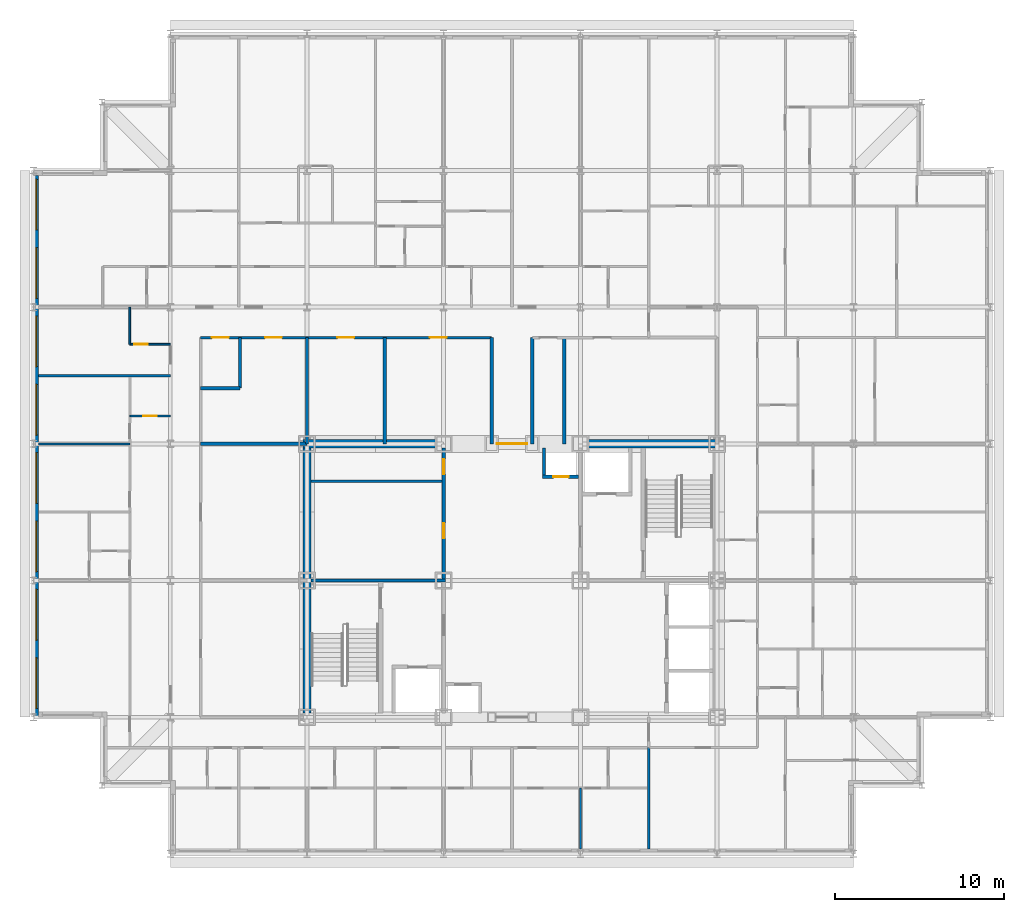
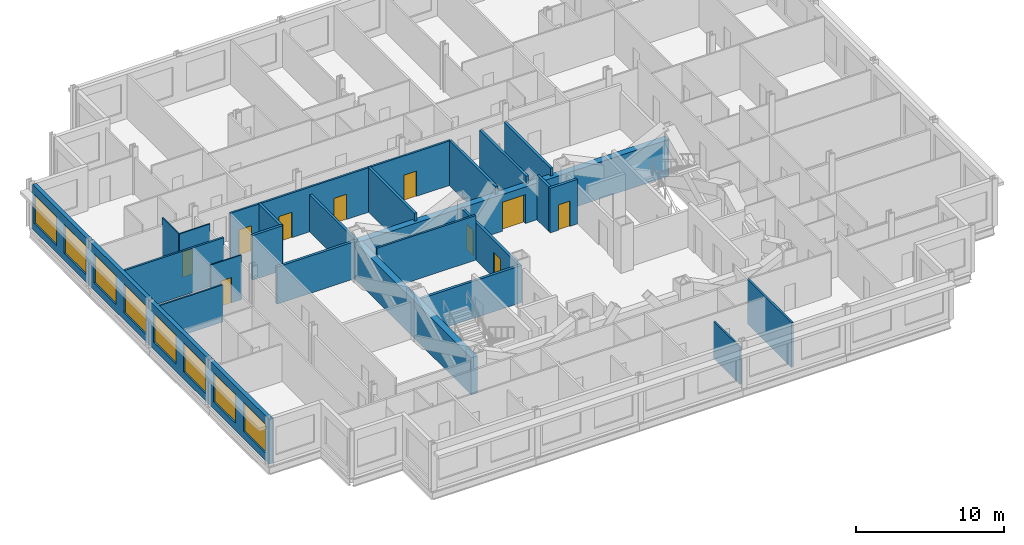
# One storey, part 9 of 16: 24 walls, 10 doors, 8 windows, 18 openings.
"""IFC4 building model written with IfcOpenShell, lengths in metres."""

from ifc_helpers import new_model, si_unit, direction, frame, frame_2d, origin, place, context, subcontext, project, spatial, rectangle, extrude, material, layer, layer_set, type_object, element, fill, save


model = new_model("IFC4")

# Units and contexts
model_context = context("Model", 3, precision=1e-05, world=origin(), true_north=direction((0.0, 1.0)))
body_context = subcontext(model_context, "Body", "Model", "MODEL_VIEW")
ifc_project = project(units=[si_unit("LENGTHUNIT", "METRE"), si_unit("AREAUNIT", "SQUARE_METRE"), si_unit("VOLUMEUNIT", "CUBIC_METRE"), si_unit("PLANEANGLEUNIT", "RADIAN"), si_unit("MASSUNIT", "GRAM", prefix="KILO")], contexts=[model_context])

# Site, building, storey
site_placement = place(None, origin())
site = spatial("IfcSite", under=ifc_project, at=site_placement, CompositionType="ELEMENT")
building_placement = place(site_placement, origin())
building = spatial("IfcBuilding", under=site, at=building_placement, Name="Kopane Lantern Tower", CompositionType="ELEMENT")
storey_placement = place(building_placement, frame((0.0, 0.0, 258.0)))
storey = spatial("IfcBuildingStorey", under=building, at=storey_placement, Name="L66", CompositionType="ELEMENT", Elevation=258.0)

# Walls
ifc_material_1 = material(Name="Gypsum board on steel studs", Category="steel")
ifc_layer_1 = layer(ifc_material_1, 0.1201171875)
ifc_layer_set_1 = layer_set([ifc_layer_1], Name="APARTMENT INTERNAL WALL 120")
wall_type_1 = type_object("IfcWallType", Name="APARTMENT INTERNAL WALL 120", PredefinedType="PARTITIONING", material=ifc_layer_set_1)
wall_1_placement = place(storey_placement, frame((32.39990234375, 20.10009765625, 0.0), z_axis=(0.0, 0.0, 1.0), x_axis=(0.0, -1.0, 0.0)))
element("IfcWall", 1, at=wall_1_placement, inside=storey, type_object=wall_type_1, Name="Apartment Internal Wall 120 L66", PredefinedType="PARTITIONING", context=body_context, shape_type="SweptSolid", body=[
    extrude(rectangle(XDim=3.60009765625, YDim=0.1201171875, at=frame_2d((1.800048828125, 0.0))), origin(), (0.0, 0.0, 1.0), 3.077880859375),
])
wall_2_placement = place(storey_placement, frame((5.699951171875, 40.5, 0.0), z_axis=(0.0, 0.0, 1.0), x_axis=(-1.0, 0.0, 0.0)))
element("IfcWall", 2, at=wall_2_placement, inside=storey, type_object=wall_type_1, Name="Apartment Internal Wall 120 L66", PredefinedType="PARTITIONING", context=body_context, shape_type="SweptSolid", body=[
    extrude(rectangle(XDim=5.39990234375, YDim=0.1201171875, at=frame_2d((2.699951171875, 0.0))), origin(), (0.0, 0.0, 1.0), 3.077880859375),
])

# Wall, opening, door
ifc_material_2 = material(Name="Moisture-resistant board on steel studs", Category="steel")
ifc_layer_2 = layer(ifc_material_2, 0.10009765625)
ifc_layer_set_2 = layer_set([ifc_layer_2], Name="BATHROOM WALL 100")
wall_type_2 = type_object("IfcWallType", Name="BATHROOM WALL 100", PredefinedType="PARTITIONING", material=ifc_layer_set_2)
wall_3_placement = place(storey_placement, frame((8.10009765625, 42.14990234375, 0.0), z_axis=(0.0, 0.0, 1.0), x_axis=(-1.0, 0.0, 0.0)))
wall_3 = element("IfcWall", 3, at=wall_3_placement, inside=storey, type_object=wall_type_2, Name="Bathroom Wall 100 L66", PredefinedType="PARTITIONING", context=body_context, shape_type="SweptSolid", body=[
    extrude(rectangle(XDim=2.400146484375, YDim=0.10009765625, at=frame_2d((1.2001953125, 0.0))), origin(), (0.0, 0.0, 1.0), 3.68994140625),
])
opening_1_placement = place(wall_3_placement, frame((0.800048828125, 0.0, 0.0)))
opening_1 = element("IfcOpeningElement", 4, at=opening_1_placement, cuts=wall_3, Name="Opening L66-031", PredefinedType="OPENING", context=body_context, shape_type="SweptSolid", body=[
    extrude(rectangle(XDim=0.800048828125, YDim=2.10009765625, at=frame_2d((0.39990234375, 1.050048828125))), frame((0.0, 0.06005859375, 0.0), z_axis=(0.0, -1.0, 0.0), x_axis=(1.0, 0.0, 0.0)), (0.0, 0.0, 1.0), 0.1201171875),
])
ifc_material_3 = material(Name="Timber door set", Category="wood")
door_type_1 = type_object("IfcDoorType", Name="DOOR D2 800x2100", OperationType="SINGLE_SWING_LEFT", PredefinedType="DOOR", material=ifc_material_3)
door_1_placement = place(opening_1_placement, origin())
door_1 = element("IfcDoor", 5, at=door_1_placement, inside=storey, type_object=door_type_1, Name="Door L66-031", OperationType="SINGLE_SWING_RIGHT", OverallHeight=2.10009765625, OverallWidth=0.800048828125, PredefinedType="DOOR", context=body_context, shape_type="SweptSolid", body=[
    extrude(rectangle(XDim=0.800048828125, YDim=2.10009765625, at=frame_2d((0.39990234375, 1.050048828125))), frame((0.0, 0.02490234375, 0.0), z_axis=(0.0, -1.0, 0.0), x_axis=(1.0, 0.0, 0.0)), (0.0, 0.0, 1.0), 0.050048828125),
])
fill(opening_1, door_1)

# Wall
wall_4_placement = place(storey_placement, frame((5.699951171875, 46.39990234375, 0.0), z_axis=(0.0, 0.0, 1.0), x_axis=(0.0, 1.0, 0.0)))
element("IfcWall", 6, at=wall_4_placement, inside=storey, type_object=wall_type_2, Name="Bathroom Wall 100 L66", PredefinedType="PARTITIONING", context=body_context, shape_type="SweptSolid", body=[
    extrude(rectangle(XDim=2.2001953125, YDim=0.10009765625, at=frame_2d((1.10009765625, 0.0))), origin(), (0.0, 0.0, 1.0), 3.68994140625),
])

# Wall, opening, door
wall_5_placement = place(storey_placement, frame((8.10009765625, 46.39990234375, 0.0), z_axis=(0.0, 0.0, 1.0), x_axis=(-1.0, 0.0, 0.0)))
wall_5 = element("IfcWall", 7, at=wall_5_placement, inside=storey, type_object=wall_type_2, Name="Bathroom Wall 100 L66", PredefinedType="PARTITIONING", context=body_context, shape_type="SweptSolid", body=[
    extrude(rectangle(XDim=2.400146484375, YDim=0.10009765625, at=frame_2d((1.2001953125, 0.0))), origin(), (0.0, 0.0, 1.0), 3.68994140625),
])
opening_2_placement = place(wall_5_placement, frame((1.35009765625, 0.0, 0.0)))
opening_2 = element("IfcOpeningElement", 8, at=opening_2_placement, cuts=wall_5, Name="Opening L66-038", PredefinedType="OPENING", context=body_context, shape_type="SweptSolid", body=[
    extrude(rectangle(XDim=0.800048828125, YDim=2.10009765625, at=frame_2d((0.39990234375, 1.050048828125))), frame((0.0, 0.06005859375, 0.0), z_axis=(0.0, -1.0, 0.0), x_axis=(1.0, 0.0, 0.0)), (0.0, 0.0, 1.0), 0.1201171875),
])
door_2_placement = place(opening_2_placement, origin())
door_2 = element("IfcDoor", 9, at=door_2_placement, inside=storey, type_object=door_type_1, Name="Door L66-038", OperationType="SINGLE_SWING_LEFT", OverallHeight=2.10009765625, OverallWidth=0.800048828125, PredefinedType="DOOR", context=body_context, shape_type="SweptSolid", body=[
    extrude(rectangle(XDim=0.800048828125, YDim=2.10009765625, at=frame_2d((0.39990234375, 1.050048828125))), frame((0.0, 0.02490234375, 0.0), z_axis=(0.0, -1.0, 0.0), x_axis=(1.0, 0.0, 0.0)), (0.0, 0.0, 1.0), 0.050048828125),
])
fill(opening_2, door_2)

ifc_material_4 = material(Name="Gypsum shaft wall EI 120", Category="gypsum")
ifc_layer_3 = layer(ifc_material_4, 0.5)
ifc_layer_set_3 = layer_set([ifc_layer_3], Name="CORE PERIMETER WALL 500 EI 120")
wall_type_3 = type_object("IfcWallType", Name="CORE PERIMETER WALL 500 EI 120", PredefinedType="SOLIDWALL", material=ifc_layer_set_3)
wall_6_placement = place(storey_placement, frame((15.949951171875, 40.5, 0.0), z_axis=(0.0, 0.0, 1.0), x_axis=(1.0, 0.0, 0.0)))
wall_6 = element("IfcWall", 10, at=wall_6_placement, inside=storey, type_object=wall_type_3, Name="Core shaft wall L66 PN", PredefinedType="SOLIDWALL", context=body_context, shape_type="SweptSolid", body=[
    extrude(rectangle(XDim=24.550048828125, YDim=0.5, at=frame_2d((12.27490234375, 0.0))), origin(), (0.0, 0.0, 1.0), 3.0400390625),
])
opening_3_placement = place(wall_6_placement, frame((11.5, 0.0, 0.0)))
opening_3 = element("IfcOpeningElement", 11, at=opening_3_placement, cuts=wall_6, Name="Opening 66.CE-N", PredefinedType="OPENING", context=body_context, shape_type="SweptSolid", body=[
    extrude(rectangle(XDim=1.800048828125, YDim=2.39990234375, at=frame_2d((0.89990234375, 1.199951171875))), frame((0.0, 0.260009765625, 0.0), z_axis=(0.0, -1.0, 0.0), x_axis=(1.0, 0.0, 0.0)), (0.0, 0.0, 1.0), 0.52001953125),
])
ifc_material_5 = material(Name="Steel door set", Category="steel")
door_type_2 = type_object("IfcDoorType", Name="CORE ENTRY DOOR 1800x2400 FD60S", OperationType="DOUBLE_DOOR_SINGLE_SWING", PredefinedType="DOOR", material=ifc_material_5)
door_3_placement = place(opening_3_placement, origin())
door_3 = element("IfcDoor", 12, at=door_3_placement, inside=storey, type_object=door_type_2, Name="Core entry door L66 north", OperationType="DOUBLE_DOOR_SINGLE_SWING", OverallHeight=2.39990234375, OverallWidth=1.800048828125, PredefinedType="DOOR", context=body_context, shape_type="SweptSolid", body=[
    extrude(rectangle(XDim=1.800048828125, YDim=2.39990234375, at=frame_2d((0.89990234375, 1.199951171875))), frame((0.0, 0.02490234375, 0.0), z_axis=(0.0, -1.0, 0.0), x_axis=(1.0, 0.0, 0.0)), (0.0, 0.0, 1.0), 0.050048828125),
])
fill(opening_3, door_3)

# Walls
wall_7_placement = place(storey_placement, frame((16.199951171875, 24.550048828125, 0.0), z_axis=(0.0, 0.0, 1.0), x_axis=(0.0, 1.0, 0.0)))
element("IfcWall", 13, at=wall_7_placement, inside=storey, type_object=wall_type_3, Name="Core shaft wall L66 PW", PredefinedType="SOLIDWALL", context=body_context, shape_type="SweptSolid", body=[
    extrude(rectangle(XDim=15.699951171875, YDim=0.5, at=frame_2d((7.85009765625, 0.0))), origin(), (0.0, 0.0, 1.0), 3.077880859375),
])
ifc_material_6 = material(Name="Gypsum partition EI 60", Category="gypsum")
ifc_layer_4 = layer(ifc_material_6, 0.14990234375)
ifc_layer_set_4 = layer_set([ifc_layer_4], Name="CORE ROOM PARTITION 150 EI 60")
wall_type_4 = type_object("IfcWallType", Name="CORE ROOM PARTITION 150 EI 60", PredefinedType="PARTITIONING", material=ifc_layer_set_4)
wall_8_placement = place(storey_placement, frame((16.449951171875, 38.27490234375, 0.0), z_axis=(0.0, 0.0, 1.0), x_axis=(1.0, 0.0, 0.0)))
element("IfcWall", 14, at=wall_8_placement, inside=storey, type_object=wall_type_4, Name="Core room partition L66 WW1", PredefinedType="PARTITIONING", context=body_context, shape_type="SweptSolid", body=[
    extrude(rectangle(XDim=7.75, YDim=0.14990234375, at=frame_2d((3.875, 0.0))), origin(), (0.0, 0.0, 1.0), 3.68994140625),
])

# Wall, openings, doors
ifc_material_7 = material(Name="Gypsum partition EI 60", Category="gypsum")
ifc_layer_5 = layer(ifc_material_7, 0.199951171875)
ifc_layer_set_5 = layer_set([ifc_layer_5], Name="CORE ROOM WALL 200 EI 60")
wall_type_5 = type_object("IfcWallType", Name="CORE ROOM WALL 200 EI 60", PredefinedType="PARTITIONING", material=ifc_layer_set_5)
wall_9_placement = place(storey_placement, frame((24.300048828125, 32.5, 0.0), z_axis=(0.0, 0.0, 1.0), x_axis=(0.0, 1.0, 0.0)))
wall_9 = element("IfcWall", 15, at=wall_9_placement, inside=storey, type_object=wall_type_5, Name="Core room wall L66 XW", PredefinedType="PARTITIONING", context=body_context, shape_type="SweptSolid", body=[
    extrude(rectangle(XDim=7.75, YDim=0.199951171875, at=frame_2d((3.875, 0.0))), origin(), (0.0, 0.0, 1.0), 3.077880859375),
])
opening_4_placement = place(wall_9_placement, frame((2.39990234375, 0.0, 0.0)))
opening_4 = element("IfcOpeningElement", 16, at=opening_4_placement, cuts=wall_9, Name="Opening 66.C30", PredefinedType="OPENING", context=body_context, shape_type="SweptSolid", body=[
    extrude(rectangle(XDim=0.89990234375, YDim=2.10009765625, at=frame_2d((0.449951171875, 1.050048828125))), frame((0.0, 0.10986328125, 0.0), z_axis=(0.0, -1.0, 0.0), x_axis=(1.0, 0.0, 0.0)), (0.0, 0.0, 1.0), 0.219970703125),
])
opening_5_placement = place(wall_9_placement, frame((6.199951171875, 0.0, 0.0)))
opening_5 = element("IfcOpeningElement", 17, at=opening_5_placement, cuts=wall_9, Name="Opening 66.C31", PredefinedType="OPENING", context=body_context, shape_type="SweptSolid", body=[
    extrude(rectangle(XDim=0.89990234375, YDim=2.10009765625, at=frame_2d((0.449951171875, 1.050048828125))), frame((0.0, 0.10986328125, 0.0), z_axis=(0.0, -1.0, 0.0), x_axis=(1.0, 0.0, 0.0)), (0.0, 0.0, 1.0), 0.219970703125),
])
ifc_material_8 = material(Name="Steel door set", Category="steel")
door_type_3 = type_object("IfcDoorType", Name="CORE ROOM DOOR 900x2100 FD60", OperationType="SINGLE_SWING_LEFT", PredefinedType="DOOR", material=ifc_material_8)
door_4_placement = place(opening_4_placement, origin())
door_4 = element("IfcDoor", 18, at=door_4_placement, inside=storey, type_object=door_type_3, Name="Door Residents storage L66", OperationType="SINGLE_SWING_LEFT", OverallHeight=2.10009765625, OverallWidth=0.89990234375, PredefinedType="DOOR", context=body_context, shape_type="SweptSolid", body=[
    extrude(rectangle(XDim=0.89990234375, YDim=2.10009765625, at=frame_2d((0.449951171875, 1.050048828125))), frame((0.0, 0.02490234375, 0.0), z_axis=(0.0, -1.0, 0.0), x_axis=(1.0, 0.0, 0.0)), (0.0, 0.0, 1.0), 0.050048828125),
])
fill(opening_4, door_4)
door_5_placement = place(opening_5_placement, origin())
door_5 = element("IfcDoor", 19, at=door_5_placement, inside=storey, type_object=door_type_3, Name="Door Refuse room L66", OperationType="SINGLE_SWING_LEFT", OverallHeight=2.10009765625, OverallWidth=0.89990234375, PredefinedType="DOOR", context=body_context, shape_type="SweptSolid", body=[
    extrude(rectangle(XDim=0.89990234375, YDim=2.10009765625, at=frame_2d((0.449951171875, 1.050048828125))), frame((0.0, 0.02490234375, 0.0), z_axis=(0.0, -1.0, 0.0), x_axis=(1.0, 0.0, 0.0)), (0.0, 0.0, 1.0), 0.050048828125),
])
fill(opening_5, door_5)

ifc_material_9 = material(Name="Gypsum board on steel studs", Category="steel")
ifc_layer_6 = layer(ifc_material_9, 0.14990234375)
ifc_layer_set_6 = layer_set([ifc_layer_6], Name="CORRIDOR WALL 150 EI 60")
wall_type_6 = type_object("IfcWallType", Name="CORRIDOR WALL 150 EI 60", PredefinedType="PARTITIONING", material=ifc_layer_set_6)
wall_10_placement = place(storey_placement, frame((9.89990234375, 46.800048828125, 0.0), z_axis=(0.0, 0.0, 1.0), x_axis=(1.0, 0.0, 0.0)))
wall_10 = element("IfcWall", 20, at=wall_10_placement, inside=storey, type_object=wall_type_6, Name="Corridor Wall 150 Ei 60 L66", PredefinedType="PARTITIONING", context=body_context, shape_type="SweptSolid", body=[
    extrude(rectangle(XDim=17.239990234375, YDim=0.14990234375, at=frame_2d((8.6201171875, 0.0))), origin(), (0.0, 0.0, 1.0), 3.68994140625),
])
opening_6_placement = place(wall_10_placement, frame((0.666748046875, 0.0, 0.0)))
opening_6 = element("IfcOpeningElement", 21, at=opening_6_placement, cuts=wall_10, Name="Opening L66-003", PredefinedType="OPENING", context=body_context, shape_type="SweptSolid", body=[
    extrude(rectangle(XDim=1.0, YDim=2.10009765625, at=frame_2d((0.5, 1.050048828125))), frame((0.0, 0.0849609375, 0.0), z_axis=(0.0, -1.0, 0.0), x_axis=(1.0, 0.0, 0.0)), (0.0, 0.0, 1.0), 0.169921875),
])
opening_7_placement = place(wall_10_placement, frame((3.816650390625, 0.0, 0.0)))
opening_7 = element("IfcOpeningElement", 22, at=opening_7_placement, cuts=wall_10, Name="Opening L66-004", PredefinedType="OPENING", context=body_context, shape_type="SweptSolid", body=[
    extrude(rectangle(XDim=1.0, YDim=2.10009765625, at=frame_2d((0.5, 1.050048828125))), frame((0.0, 0.0849609375, 0.0), z_axis=(0.0, -1.0, 0.0), x_axis=(1.0, 0.0, 0.0)), (0.0, 0.0, 1.0), 0.169921875),
])
opening_8_placement = place(wall_10_placement, frame((8.1015625, 0.0, 0.0)))
opening_8 = element("IfcOpeningElement", 23, at=opening_8_placement, cuts=wall_10, Name="Opening L66-005", PredefinedType="OPENING", context=body_context, shape_type="SweptSolid", body=[
    extrude(rectangle(XDim=1.0, YDim=2.10009765625, at=frame_2d((0.5, 1.050048828125))), frame((0.0, 0.0849609375, 0.0), z_axis=(0.0, -1.0, 0.0), x_axis=(1.0, 0.0, 0.0)), (0.0, 0.0, 1.0), 0.169921875),
])
opening_9_placement = place(wall_10_placement, frame((13.57666015625, 0.0, 0.0)))
opening_9 = element("IfcOpeningElement", 24, at=opening_9_placement, cuts=wall_10, Name="Opening L66-006", PredefinedType="OPENING", context=body_context, shape_type="SweptSolid", body=[
    extrude(rectangle(XDim=1.0, YDim=2.10009765625, at=frame_2d((0.5, 1.050048828125))), frame((0.0, 0.0849609375, 0.0), z_axis=(0.0, -1.0, 0.0), x_axis=(1.0, 0.0, 0.0)), (0.0, 0.0, 1.0), 0.169921875),
])
ifc_material_10 = material(Name="Steel door set", Category="steel")
door_type_4 = type_object("IfcDoorType", Name="DOOR D5 1000x2100 FD60", OperationType="SINGLE_SWING_LEFT", PredefinedType="DOOR", material=ifc_material_10)
door_6_placement = place(opening_6_placement, origin())
door_6 = element("IfcDoor", 25, at=door_6_placement, inside=storey, type_object=door_type_4, Name="Door L66-003", OperationType="SINGLE_SWING_RIGHT", OverallHeight=2.10009765625, OverallWidth=1.0, PredefinedType="DOOR", context=body_context, shape_type="SweptSolid", body=[
    extrude(rectangle(XDim=1.0, YDim=2.10009765625, at=frame_2d((0.5, 1.050048828125))), frame((0.0, 0.02490234375, 0.0), z_axis=(0.0, -1.0, 0.0), x_axis=(1.0, 0.0, 0.0)), (0.0, 0.0, 1.0), 0.050048828125),
])
fill(opening_6, door_6)
door_7_placement = place(opening_7_placement, origin())
door_7 = element("IfcDoor", 26, at=door_7_placement, inside=storey, type_object=door_type_4, Name="Door L66-004", OperationType="SINGLE_SWING_LEFT", OverallHeight=2.10009765625, OverallWidth=1.0, PredefinedType="DOOR", context=body_context, shape_type="SweptSolid", body=[
    extrude(rectangle(XDim=1.0, YDim=2.10009765625, at=frame_2d((0.5, 1.050048828125))), frame((0.0, 0.02490234375, 0.0), z_axis=(0.0, -1.0, 0.0), x_axis=(1.0, 0.0, 0.0)), (0.0, 0.0, 1.0), 0.050048828125),
])
fill(opening_7, door_7)
door_8_placement = place(opening_8_placement, origin())
door_8 = element("IfcDoor", 27, at=door_8_placement, inside=storey, type_object=door_type_4, Name="Door L66-005", OperationType="SINGLE_SWING_RIGHT", OverallHeight=2.10009765625, OverallWidth=1.0, PredefinedType="DOOR", context=body_context, shape_type="SweptSolid", body=[
    extrude(rectangle(XDim=1.0, YDim=2.10009765625, at=frame_2d((0.5, 1.050048828125))), frame((0.0, 0.02490234375, 0.0), z_axis=(0.0, -1.0, 0.0), x_axis=(1.0, 0.0, 0.0)), (0.0, 0.0, 1.0), 0.050048828125),
])
fill(opening_8, door_8)
door_9_placement = place(opening_9_placement, origin())
door_9 = element("IfcDoor", 28, at=door_9_placement, inside=storey, type_object=door_type_4, Name="Door L66-006", OperationType="SINGLE_SWING_LEFT", OverallHeight=2.10009765625, OverallWidth=1.0, PredefinedType="DOOR", context=body_context, shape_type="SweptSolid", body=[
    extrude(rectangle(XDim=1.0, YDim=2.10009765625, at=frame_2d((0.5, 1.050048828125))), frame((0.0, 0.02490234375, 0.0), z_axis=(0.0, -1.0, 0.0), x_axis=(1.0, 0.0, 0.0)), (0.0, 0.0, 1.0), 0.050048828125),
])
fill(opening_9, door_9)

# Walls
ifc_material_11 = material(Name="Gypsum board on steel studs", Category="steel")
ifc_layer_7 = layer(ifc_material_11, 0.14990234375)
ifc_layer_set_7 = layer_set([ifc_layer_7], Name="DEMISING WALL 150 EI 60")
wall_type_7 = type_object("IfcWallType", Name="DEMISING WALL 150 EI 60", PredefinedType="PARTITIONING", material=ifc_layer_set_7)
wall_11_placement = place(storey_placement, frame((8.10009765625, 44.550048828125, 0.0), z_axis=(0.0, 0.0, 1.0), x_axis=(-1.0, 0.0, 0.0)))
element("IfcWall", 29, at=wall_11_placement, inside=storey, type_object=wall_type_7, Name="Demising Wall 150 Ei 60 L66", PredefinedType="PARTITIONING", context=body_context, shape_type="SweptSolid", body=[
    extrude(rectangle(XDim=7.800048828125, YDim=0.14990234375, at=frame_2d((3.89990234375, 0.0))), origin(), (0.0, 0.0, 1.0), 3.68994140625),
])
wall_12_placement = place(storey_placement, frame((36.449951171875, 16.5, 0.0), z_axis=(0.0, 0.0, 1.0), x_axis=(0.0, 1.0, 0.0)))
element("IfcWall", 30, at=wall_12_placement, inside=storey, type_object=wall_type_7, Name="Demising Wall 150 Ei 60 L66", PredefinedType="PARTITIONING", context=body_context, shape_type="SweptSolid", body=[
    extrude(rectangle(XDim=6.0, YDim=0.14990234375, at=frame_2d((3.0, 0.0))), origin(), (0.0, 0.0, 1.0), 3.68994140625),
])

# Wall, openings, windows
ifc_material_12 = material(Name="Terracotta rainscreen on light steel framing", Category="masonry")
ifc_layer_8 = layer(ifc_material_12, 0.300048828125)
ifc_layer_set_8 = layer_set([ifc_layer_8], Name="EXTERNAL WALL EW1 300 TERRACOTTA")
wall_type_8 = type_object("IfcWallType", Name="EXTERNAL WALL EW1 300 TERRACOTTA", PredefinedType="SOLIDWALL", material=ifc_layer_set_8)
wall_13_placement = place(storey_placement, frame((0.14990234375, 56.39990234375, 0.0), z_axis=(0.0, 0.0, 1.0), x_axis=(0.0, -1.0, 0.0)))
wall_13 = element("IfcWall", 31, at=wall_13_placement, inside=storey, type_object=wall_type_8, Name="External wall W L66", PredefinedType="SOLIDWALL", context=body_context, shape_type="SweptSolid", body=[
    extrude(rectangle(XDim=32.099853515625, YDim=0.300048828125, at=frame_2d((16.0498046875, 0.0))), origin(), (0.0, 0.0, 1.0), 3.68994140625),
])
opening_10_placement = place(wall_13_placement, frame((0.22509765625, 0.0, 0.60009765625)))
opening_10 = element("IfcOpeningElement", 32, at=opening_10_placement, cuts=wall_13, Name="Opening WR300240", PredefinedType="OPENING", context=body_context, shape_type="SweptSolid", body=[
    extrude(rectangle(XDim=3.0, YDim=2.39990234375, at=frame_2d((1.5, 1.199951171875))), frame((0.0, 0.159912109375, 0.0), z_axis=(0.0, -1.0, 0.0), x_axis=(1.0, 0.0, 0.0)), (0.0, 0.0, 1.0), 0.320068359375),
])
opening_11_placement = place(wall_13_placement, frame((4.27490234375, 0.0, 0.60009765625)))
opening_11 = element("IfcOpeningElement", 33, at=opening_11_placement, cuts=wall_13, Name="Opening WR300240", PredefinedType="OPENING", context=body_context, shape_type="SweptSolid", body=[
    extrude(rectangle(XDim=3.0, YDim=2.39990234375, at=frame_2d((1.5, 1.199951171875))), frame((0.0, 0.159912109375, 0.0), z_axis=(0.0, -1.0, 0.0), x_axis=(1.0, 0.0, 0.0)), (0.0, 0.0, 1.0), 0.320068359375),
])
opening_12_placement = place(wall_13_placement, frame((8.324951171875, 0.0, 0.60009765625)))
opening_12 = element("IfcOpeningElement", 34, at=opening_12_placement, cuts=wall_13, Name="Opening WR300240", PredefinedType="OPENING", context=body_context, shape_type="SweptSolid", body=[
    extrude(rectangle(XDim=3.0, YDim=2.39990234375, at=frame_2d((1.5, 1.199951171875))), frame((0.0, 0.159912109375, 0.0), z_axis=(0.0, -1.0, 0.0), x_axis=(1.0, 0.0, 0.0)), (0.0, 0.0, 1.0), 0.320068359375),
])
opening_13_placement = place(wall_13_placement, frame((12.375, 0.0, 0.60009765625)))
opening_13 = element("IfcOpeningElement", 35, at=opening_13_placement, cuts=wall_13, Name="Opening WR300240", PredefinedType="OPENING", context=body_context, shape_type="SweptSolid", body=[
    extrude(rectangle(XDim=3.0, YDim=2.39990234375, at=frame_2d((1.5, 1.199951171875))), frame((0.0, 0.159912109375, 0.0), z_axis=(0.0, -1.0, 0.0), x_axis=(1.0, 0.0, 0.0)), (0.0, 0.0, 1.0), 0.320068359375),
])
opening_14_placement = place(wall_13_placement, frame((16.425048828125, 0.0, 0.60009765625)))
opening_14 = element("IfcOpeningElement", 36, at=opening_14_placement, cuts=wall_13, Name="Opening WR300240", PredefinedType="OPENING", context=body_context, shape_type="SweptSolid", body=[
    extrude(rectangle(XDim=3.0, YDim=2.39990234375, at=frame_2d((1.5, 1.199951171875))), frame((0.0, 0.159912109375, 0.0), z_axis=(0.0, -1.0, 0.0), x_axis=(1.0, 0.0, 0.0)), (0.0, 0.0, 1.0), 0.320068359375),
])
opening_15_placement = place(wall_13_placement, frame((20.47509765625, 0.0, 0.60009765625)))
opening_15 = element("IfcOpeningElement", 37, at=opening_15_placement, cuts=wall_13, Name="Opening WR300240", PredefinedType="OPENING", context=body_context, shape_type="SweptSolid", body=[
    extrude(rectangle(XDim=3.0, YDim=2.39990234375, at=frame_2d((1.5, 1.199951171875))), frame((0.0, 0.159912109375, 0.0), z_axis=(0.0, -1.0, 0.0), x_axis=(1.0, 0.0, 0.0)), (0.0, 0.0, 1.0), 0.320068359375),
])
opening_16_placement = place(wall_13_placement, frame((24.52490234375, 0.0, 0.60009765625)))
opening_16 = element("IfcOpeningElement", 38, at=opening_16_placement, cuts=wall_13, Name="Opening WR300240", PredefinedType="OPENING", context=body_context, shape_type="SweptSolid", body=[
    extrude(rectangle(XDim=3.0, YDim=2.39990234375, at=frame_2d((1.5, 1.199951171875))), frame((0.0, 0.159912109375, 0.0), z_axis=(0.0, -1.0, 0.0), x_axis=(1.0, 0.0, 0.0)), (0.0, 0.0, 1.0), 0.320068359375),
])
opening_17_placement = place(wall_13_placement, frame((28.574951171875, 0.0, 0.60009765625)))
opening_17 = element("IfcOpeningElement", 39, at=opening_17_placement, cuts=wall_13, Name="Opening WR300240", PredefinedType="OPENING", context=body_context, shape_type="SweptSolid", body=[
    extrude(rectangle(XDim=3.0, YDim=2.39990234375, at=frame_2d((1.5, 1.199951171875))), frame((0.0, 0.159912109375, 0.0), z_axis=(0.0, -1.0, 0.0), x_axis=(1.0, 0.0, 0.0)), (0.0, 0.0, 1.0), 0.320068359375),
])
ifc_material_13 = material(Name="Aluminium and clear glass", Category="aluminium")
window_type = type_object("IfcWindowType", Name="RIBBON WINDOW WR300240 3000x2400", PartitioningType="SINGLE_PANEL", PredefinedType="WINDOW", material=ifc_material_13)
window_1_placement = place(opening_10_placement, origin())
window_1 = element("IfcWindow", 40, at=window_1_placement, inside=storey, type_object=window_type, Name="Window W L66", OverallHeight=2.39990234375, OverallWidth=3.0, PartitioningType="SINGLE_PANEL", PredefinedType="WINDOW", context=body_context, shape_type="SweptSolid", body=[
    extrude(rectangle(XDim=3.0, YDim=2.39990234375, at=frame_2d((1.5, 1.199951171875))), frame((0.0, 0.030029296875, 0.0), z_axis=(0.0, -1.0, 0.0), x_axis=(1.0, 0.0, 0.0)), (0.0, 0.0, 1.0), 0.06005859375),
])
fill(opening_10, window_1)
window_2_placement = place(opening_11_placement, origin())
window_2 = element("IfcWindow", 41, at=window_2_placement, inside=storey, type_object=window_type, Name="Window W L66", OverallHeight=2.39990234375, OverallWidth=3.0, PartitioningType="SINGLE_PANEL", PredefinedType="WINDOW", context=body_context, shape_type="SweptSolid", body=[
    extrude(rectangle(XDim=3.0, YDim=2.39990234375, at=frame_2d((1.5, 1.199951171875))), frame((0.0, 0.030029296875, 0.0), z_axis=(0.0, -1.0, 0.0), x_axis=(1.0, 0.0, 0.0)), (0.0, 0.0, 1.0), 0.06005859375),
])
fill(opening_11, window_2)
window_3_placement = place(opening_12_placement, origin())
window_3 = element("IfcWindow", 42, at=window_3_placement, inside=storey, type_object=window_type, Name="Window W L66", OverallHeight=2.39990234375, OverallWidth=3.0, PartitioningType="SINGLE_PANEL", PredefinedType="WINDOW", context=body_context, shape_type="SweptSolid", body=[
    extrude(rectangle(XDim=3.0, YDim=2.39990234375, at=frame_2d((1.5, 1.199951171875))), frame((0.0, 0.030029296875, 0.0), z_axis=(0.0, -1.0, 0.0), x_axis=(1.0, 0.0, 0.0)), (0.0, 0.0, 1.0), 0.06005859375),
])
fill(opening_12, window_3)
window_4_placement = place(opening_13_placement, origin())
window_4 = element("IfcWindow", 43, at=window_4_placement, inside=storey, type_object=window_type, Name="Window W L66", OverallHeight=2.39990234375, OverallWidth=3.0, PartitioningType="SINGLE_PANEL", PredefinedType="WINDOW", context=body_context, shape_type="SweptSolid", body=[
    extrude(rectangle(XDim=3.0, YDim=2.39990234375, at=frame_2d((1.5, 1.199951171875))), frame((0.0, 0.030029296875, 0.0), z_axis=(0.0, -1.0, 0.0), x_axis=(1.0, 0.0, 0.0)), (0.0, 0.0, 1.0), 0.06005859375),
])
fill(opening_13, window_4)
window_5_placement = place(opening_14_placement, origin())
window_5 = element("IfcWindow", 44, at=window_5_placement, inside=storey, type_object=window_type, Name="Window W L66", OverallHeight=2.39990234375, OverallWidth=3.0, PartitioningType="SINGLE_PANEL", PredefinedType="WINDOW", context=body_context, shape_type="SweptSolid", body=[
    extrude(rectangle(XDim=3.0, YDim=2.39990234375, at=frame_2d((1.5, 1.199951171875))), frame((0.0, 0.030029296875, 0.0), z_axis=(0.0, -1.0, 0.0), x_axis=(1.0, 0.0, 0.0)), (0.0, 0.0, 1.0), 0.06005859375),
])
fill(opening_14, window_5)
window_6_placement = place(opening_15_placement, origin())
window_6 = element("IfcWindow", 45, at=window_6_placement, inside=storey, type_object=window_type, Name="Window W L66", OverallHeight=2.39990234375, OverallWidth=3.0, PartitioningType="SINGLE_PANEL", PredefinedType="WINDOW", context=body_context, shape_type="SweptSolid", body=[
    extrude(rectangle(XDim=3.0, YDim=2.39990234375, at=frame_2d((1.5, 1.199951171875))), frame((0.0, 0.030029296875, 0.0), z_axis=(0.0, -1.0, 0.0), x_axis=(1.0, 0.0, 0.0)), (0.0, 0.0, 1.0), 0.06005859375),
])
fill(opening_15, window_6)
window_7_placement = place(opening_16_placement, origin())
window_7 = element("IfcWindow", 46, at=window_7_placement, inside=storey, type_object=window_type, Name="Window W L66", OverallHeight=2.39990234375, OverallWidth=3.0, PartitioningType="SINGLE_PANEL", PredefinedType="WINDOW", context=body_context, shape_type="SweptSolid", body=[
    extrude(rectangle(XDim=3.0, YDim=2.39990234375, at=frame_2d((1.5, 1.199951171875))), frame((0.0, 0.030029296875, 0.0), z_axis=(0.0, -1.0, 0.0), x_axis=(1.0, 0.0, 0.0)), (0.0, 0.0, 1.0), 0.06005859375),
])
fill(opening_16, window_7)
window_8_placement = place(opening_17_placement, origin())
window_8 = element("IfcWindow", 47, at=window_8_placement, inside=storey, type_object=window_type, Name="Window W L66", OverallHeight=2.39990234375, OverallWidth=3.0, PartitioningType="SINGLE_PANEL", PredefinedType="WINDOW", context=body_context, shape_type="SweptSolid", body=[
    extrude(rectangle(XDim=3.0, YDim=2.39990234375, at=frame_2d((1.5, 1.199951171875))), frame((0.0, 0.030029296875, 0.0), z_axis=(0.0, -1.0, 0.0), x_axis=(1.0, 0.0, 0.0)), (0.0, 0.0, 1.0), 0.06005859375),
])
fill(opening_17, window_8)

# Walls
ifc_material_14 = material(Name="Concrete masonry", Category="masonry")
ifc_layer_9 = layer(ifc_material_14, 0.199951171875)
ifc_layer_set_9 = layer_set([ifc_layer_9], Name="PLANT ROOM WALL 200 EI 120")
wall_type_9 = type_object("IfcWallType", Name="PLANT ROOM WALL 200 EI 120", PredefinedType="SOLIDWALL", material=ifc_layer_set_9)
wall_14_placement = place(storey_placement, frame((16.199951171875, 40.5, 0.0), z_axis=(0.0, 0.0, 1.0), x_axis=(0.0, 1.0, 0.0)))
element("IfcWall", 48, at=wall_14_placement, inside=storey, type_object=wall_type_9, Name="Plant Room Wall 200 Ei 120 L66", PredefinedType="SOLIDWALL", context=body_context, shape_type="SweptSolid", body=[
    extrude(rectangle(XDim=6.300048828125, YDim=0.199951171875, at=frame_2d((3.14990234375, 0.0))), origin(), (0.0, 0.0, 1.0), 3.077880859375),
])
wall_15_placement = place(storey_placement, frame((12.2333984375, 46.800048828125, 0.0), z_axis=(0.0, 0.0, 1.0), x_axis=(0.0, -1.0, 0.0)))
element("IfcWall", 49, at=wall_15_placement, inside=storey, type_object=wall_type_9, Name="Plant Room Wall 200 Ei 120 L66", PredefinedType="SOLIDWALL", context=body_context, shape_type="SweptSolid", body=[
    extrude(rectangle(XDim=3.0, YDim=0.199951171875, at=frame_2d((1.5, 0.0))), origin(), (0.0, 0.0, 1.0), 3.68994140625),
])
wall_16_placement = place(storey_placement, frame((9.89990234375, 43.800048828125, 0.0), z_axis=(0.0, 0.0, 1.0), x_axis=(1.0, 0.0, 0.0)))
element("IfcWall", 50, at=wall_16_placement, inside=storey, type_object=wall_type_9, Name="Plant Room Wall 200 Ei 120 L66", PredefinedType="SOLIDWALL", context=body_context, shape_type="SweptSolid", body=[
    extrude(rectangle(XDim=2.33349609375, YDim=0.199951171875, at=frame_2d((1.166748046875, 0.0))), origin(), (0.0, 0.0, 1.0), 3.68994140625),
])
for number, where, z_axis, x_axis, name in (
    (51, (20.80322265625, 46.800048828125, 0.0), (0.0, 0.0, 1.0), (0.0, -1.0, 0.0), "Plant Room Wall 200 Ei 120 L66"),
    (52, (31.454833984375, 46.800048828125, 0.0), (0.0, 0.0, 1.0), (0.0, -1.0, 0.0), "Plant Room Wall 200 Ei 120 L66"),
    (53, (27.14990234375, 40.5, 0.0), (0.0, 0.0, 1.0), (0.0, 1.0, 0.0), "Plant Room Wall 200 Ei 120 L66"),
    (54, (29.550048828125, 40.5, 0.0), (0.0, 0.0, 1.0), (0.0, 1.0, 0.0), "Plant Room Wall 200 Ei 120 L66"),
):
    element("IfcWall", number, at=place(storey_placement, frame(where, z_axis=z_axis, x_axis=x_axis)), inside=storey, type_object=wall_type_9, Name=name, PredefinedType="SOLIDWALL", context=body_context, shape_type="SweptSolid", body=[
        extrude(rectangle(XDim=6.300048828125, YDim=0.199951171875, at=frame_2d((3.14990234375, 0.0))), origin(), (0.0, 0.0, 1.0), 3.68994140625),
    ])
wall_17_placement = place(storey_placement, frame((9.89990234375, 40.5, 0.0), z_axis=(0.0, 0.0, 1.0), x_axis=(1.0, 0.0, 0.0)))
element("IfcWall", 55, at=wall_17_placement, inside=storey, type_object=wall_type_9, Name="Plant Room Wall 200 Ei 120 L66", PredefinedType="SOLIDWALL", context=body_context, shape_type="SweptSolid", body=[
    extrude(rectangle(XDim=6.300048828125, YDim=0.199951171875, at=frame_2d((3.14990234375, 0.0))), origin(), (0.0, 0.0, 1.0), 3.077880859375),
])
ifc_material_15 = material(Name="Gypsum shaft wall EI 120", Category="gypsum")
ifc_layer_10 = layer(ifc_material_15, 0.199951171875)
ifc_layer_set_10 = layer_set([ifc_layer_10], Name="SHAFT WALL 200 EI 120")
wall_type_10 = type_object("IfcWallType", Name="SHAFT WALL 200 EI 120", PredefinedType="SOLIDWALL", material=ifc_layer_set_10)
wall_18_placement = place(storey_placement, frame((16.449951171875, 32.39990234375, 0.0), z_axis=(0.0, 0.0, 1.0), x_axis=(1.0, 0.0, 0.0)))
element("IfcWall", 56, at=wall_18_placement, inside=storey, type_object=wall_type_10, Name="Core shaft wall L66 Y324W", PredefinedType="SOLIDWALL", context=body_context, shape_type="SweptSolid", body=[
    extrude(rectangle(XDim=7.949951171875, YDim=0.199951171875, at=frame_2d((3.97509765625, 0.0))), origin(), (0.0, 0.0, 1.0), 3.077880859375),
])
wall_19_placement = place(storey_placement, frame((30.25, 38.64990234375, 0.0), z_axis=(0.0, 0.0, 1.0), x_axis=(0.0, 1.0, 0.0)))
element("IfcWall", 57, at=wall_19_placement, inside=storey, type_object=wall_type_10, Name="Core shaft wall L66 XRS2", PredefinedType="SOLIDWALL", context=body_context, shape_type="SweptSolid", body=[
    extrude(rectangle(XDim=1.60009765625, YDim=0.199951171875, at=frame_2d((0.800048828125, 0.0))), origin(), (0.0, 0.0, 1.0), 3.68994140625),
])

# Wall, opening, door
wall_20_placement = place(storey_placement, frame((30.14990234375, 38.550048828125, 0.0), z_axis=(0.0, 0.0, 1.0), x_axis=(1.0, 0.0, 0.0)))
wall_20 = element("IfcWall", 58, at=wall_20_placement, inside=storey, type_object=wall_type_10, Name="Core shaft wall L66 YRS2", PredefinedType="SOLIDWALL", context=body_context, shape_type="SweptSolid", body=[
    extrude(rectangle(XDim=2.150146484375, YDim=0.199951171875, at=frame_2d((1.0751953125, 0.0))), origin(), (0.0, 0.0, 1.0), 3.68994140625),
])
opening_18_placement = place(wall_20_placement, frame((0.64990234375, 0.0, 0.0)))
opening_18 = element("IfcOpeningElement", 59, at=opening_18_placement, cuts=wall_20, Name="Opening 66.RS2", PredefinedType="OPENING", context=body_context, shape_type="SweptSolid", body=[
    extrude(rectangle(XDim=0.89990234375, YDim=2.10009765625, at=frame_2d((0.449951171875, 1.050048828125))), frame((0.0, 0.10986328125, 0.0), z_axis=(0.0, -1.0, 0.0), x_axis=(1.0, 0.0, 0.0)), (0.0, 0.0, 1.0), 0.219970703125),
])
ifc_material_16 = material(Name="Steel door set", Category="steel")
door_type_5 = type_object("IfcDoorType", Name="RISER ACCESS DOOR 900x2100 FD60", OperationType="SINGLE_SWING_LEFT", PredefinedType="DOOR", material=ifc_material_16)
door_10_placement = place(opening_18_placement, origin())
door_10 = element("IfcDoor", 60, at=door_10_placement, inside=storey, type_object=door_type_5, Name="Riser access door RS2 L66", OperationType="SINGLE_SWING_LEFT", OverallHeight=2.10009765625, OverallWidth=0.89990234375, PredefinedType="DOOR", context=body_context, shape_type="SweptSolid", body=[
    extrude(rectangle(XDim=0.89990234375, YDim=2.10009765625, at=frame_2d((0.449951171875, 1.050048828125))), frame((0.0, 0.02490234375, 0.0), z_axis=(0.0, -1.0, 0.0), x_axis=(1.0, 0.0, 0.0)), (0.0, 0.0, 1.0), 0.050048828125),
])
fill(opening_18, door_10)

save(model, "model.ifc")
